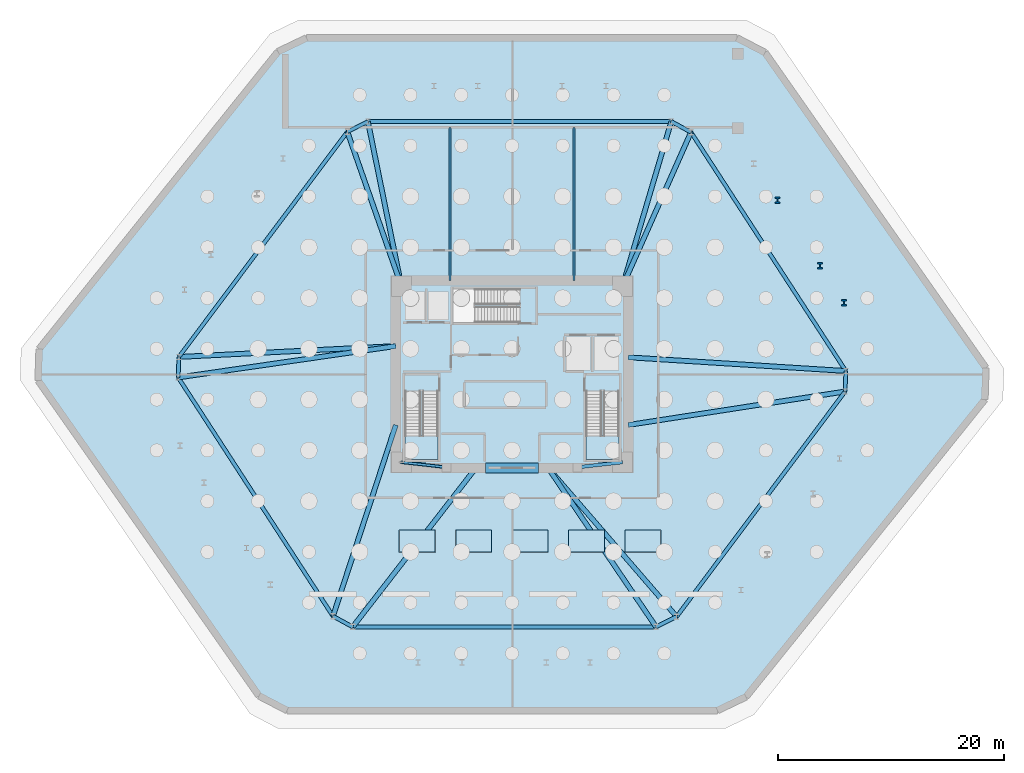
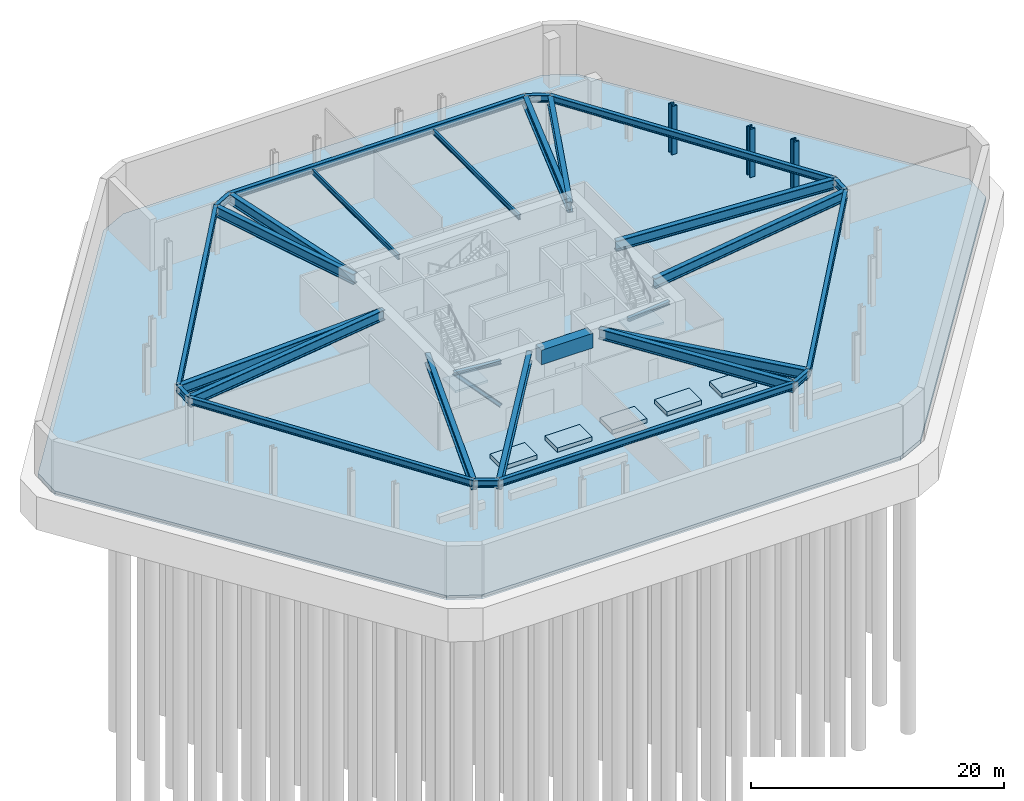
# One storey, part 2 of 8: 29 beams, 8 slabs, 3 columns, 1 member, 2 elements without a shape of their own.
"""IFC4 building model written with IfcOpenShell, lengths in metres."""

from ifc_helpers import new_model, si_unit, direction, frame, origin, origin_2d, place, context, subcontext, project, spatial, polyline, rectangle, i_section, outline, extrude, source, transform, mapped, material, layer, layer_set, material_profile, profile_set, type_object, type_shapes, element, aggregate, save


model = new_model("IFC4")

# Units and contexts
model_context = context("Model", 3, precision=1e-05, world=origin(), true_north=direction((0.0, 1.0)))
body_context = subcontext(model_context, "Body", "Model", "MODEL_VIEW")
ifc_project = project(units=[si_unit("LENGTHUNIT", "METRE"), si_unit("AREAUNIT", "SQUARE_METRE"), si_unit("VOLUMEUNIT", "CUBIC_METRE"), si_unit("PLANEANGLEUNIT", "RADIAN"), si_unit("MASSUNIT", "GRAM", prefix="KILO")], contexts=[model_context])

# Site, building, storey
site_placement = place(None, origin())
site = spatial("IfcSite", under=ifc_project, at=site_placement, CompositionType="ELEMENT")
building_placement = place(site_placement, origin())
building = spatial("IfcBuilding", under=site, at=building_placement, Name="Durnholm Broadcast Tower", CompositionType="ELEMENT")
storey_placement = place(building_placement, frame((0.0, 0.0, -10.0)))
storey = spatial("IfcBuildingStorey", under=building, at=storey_placement, Name="B02", CompositionType="ELEMENT", Elevation=-10.0)

# Columns
ifc_material_1 = material(Name="Steel ASTM A913 Grade 65", Category="steel")
ifc_material_profile_1 = material_profile(ifc_material_1, i_section(OverallWidth=0.454345703125, OverallDepth=0.569091796875, WebThickness=0.077880859375, FlangeThickness=0.124755859375, FilletRadius=0.030517578125, at=origin_2d()), Name="W14X730")
ifc_profile_set_1 = profile_set([ifc_material_profile_1], Name="Steel ASTM A913 Grade 65")
column_type = type_object("IfcColumnType", Name="STL-SC-W14X730", PredefinedType="COLUMN", material=ifc_profile_set_1)
shared_shape_1 = source(origin(), body_context, "Body", "SweptSolid", [
    extrude(i_section(OverallWidth=0.454345703125, OverallDepth=0.569091796875, WebThickness=0.077880859375, FlangeThickness=0.124755859375, FilletRadius=0.030517578125, at=origin_2d()), origin(), (0.0, 0.0, 1.0), 4.64990234375),
])
type_shapes(column_type, [shared_shape_1])
for number, where, z_axis, x_axis, name in (
    (1, (29.42041015625, 6.340087890625, 0.0), (0.0, 0.0, 1.0), (1.0, 0.0, 0.0), "B02 stand-off exoskeleton pilotis column F3.1"),
    (2, (27.3046875, 9.6025390625, 0.0), (0.0, 0.0, 1.0), (1.0, 0.0, 0.0), "B02 stand-off exoskeleton pilotis column F3.2"),
    (3, (23.541015625, 15.40576171875, 0.0), (0.0, 0.0, 1.0), (1.0, 0.0, 0.0), "B02 stand-off exoskeleton pilotis column F3.3"),
):
    element("IfcColumn", number, at=place(storey_placement, frame(where, z_axis=z_axis, x_axis=x_axis)), inside=storey, type_object=column_type, Name=name, PredefinedType="COLUMN", context=body_context, shape_type="MappedRepresentation", body=[
        mapped(shared_shape_1, transform((0.0, 0.0, 0.0), x_axis=(1.0, 0.0, 0.0), y_axis=(0.0, 1.0, 0.0), z_axis=(0.0, 0.0, 1.0), scale=1.0)),
    ])

# Beams
ifc_material_2 = material(Name="Concrete C70/85", Category="concrete")
ifc_material_profile_2 = material_profile(ifc_material_2, rectangle(XDim=0.89990234375, YDim=1.39990234375, at=origin_2d()), Name="RC900X1400")
ifc_profile_set_2 = profile_set([ifc_material_profile_2], Name="Concrete C70/85")
beam_type_1 = type_object("IfcBeamType", Name="BM-CB-RC1400", PredefinedType="LINTEL", material=ifc_profile_set_2)
shared_shape_2 = source(origin(), body_context, "Body", "SweptSolid", [
    extrude(rectangle(XDim=0.89990234375, YDim=1.39990234375, at=origin_2d()), origin(), (0.0, 0.0, 1.0), 4.7001953125),
])
type_shapes(beam_type_1, [shared_shape_2])
beam_1_placement = place(storey_placement, frame((-2.35009765625, -8.300048828125, 3.945068359375), z_axis=(1.0, 0.0, 0.0), x_axis=(0.0, 1.0, 0.0)))
element("IfcBeam", 4, at=beam_1_placement, inside=storey, type_object=beam_type_1, Name="B02 south core coupling lintel beam CB-S", PredefinedType="LINTEL", context=body_context, shape_type="MappedRepresentation", body=[
    mapped(shared_shape_2, transform((0.0, 0.0, 0.0), x_axis=(1.0, 0.0, 0.0), y_axis=(0.0, 1.0, 0.0), z_axis=(0.0, 0.0, 1.0), scale=1.0)),
])
ifc_material_3 = material(Name="Steel ASTM A992 Grade 50", Category="steel")
ifc_material_profile_3 = material_profile(ifc_material_3, i_section(OverallWidth=0.3330078125, OverallDepth=0.660888671875, WebThickness=0.0244140625, FlangeThickness=0.0439453125, FilletRadius=0.02783203125, at=origin_2d()), Name="W24X229")
ifc_profile_set_3 = profile_set([ifc_material_profile_3], Name="Steel ASTM A992 Grade 50")
beam_type_2 = type_object("IfcBeamType", Name="STL-SP-W24X229", PredefinedType="SPANDREL", material=ifc_profile_set_3)
shared_shape_3 = source(origin(), body_context, "Body", "SweptSolid", [
    extrude(i_section(OverallWidth=0.3330078125, OverallDepth=0.660888671875, WebThickness=0.0244140625, FlangeThickness=0.0439453125, FilletRadius=0.02783203125, at=origin_2d()), origin(), (0.0, 0.0, 1.0), 25.22265625),
])
for number, where, z_axis, x_axis, name in (
    (5, (-15.866455078125, -21.45068359375, 4.3046875), (-0.544117081794, 0.839009297505, 0.0), (-0.839009297505, -0.544117081794, 0.0), "B02 perimeter spandrel girder 01"),
    (6, (15.866455078125, 21.45068359375, 4.3046875), (0.544117081794, -0.839009297505, 0.0), (0.839009297505, 0.544117081794, 0.0), "B02 perimeter spandrel girder 07"),
):
    element("IfcBeam", number, at=place(storey_placement, frame(where, z_axis=z_axis, x_axis=x_axis)), inside=storey, type_object=beam_type_2, Name=name, PredefinedType="SPANDREL", context=body_context, shape_type="MappedRepresentation", body=[
        mapped(shared_shape_3, transform((0.0, 0.0, 0.0), x_axis=(1.0, 0.0, 0.0), y_axis=(0.0, 1.0, 0.0), z_axis=(0.0, 0.0, 1.0), scale=1.0)),
    ])
shared_shape_4 = source(origin(), body_context, "Body", "SweptSolid", [
    extrude(i_section(OverallWidth=0.3330078125, OverallDepth=0.660888671875, WebThickness=0.0244140625, FlangeThickness=0.0439453125, FilletRadius=0.02783203125, at=origin_2d()), origin(), (0.0, 0.0, 1.0), 1.820068359375),
])
for number, where, z_axis, x_axis, name in (
    (7, (-29.590576171875, -0.28857421875, 4.3046875), (0.033667655889, 0.999433083776, 0.0), (-0.999433083776, 0.033667655889, 0.0), "B02 perimeter spandrel girder 02"),
    (8, (29.590576171875, 0.28857421875, 4.3046875), (-0.033667655889, -0.999433083776, 0.0), (0.999433083776, -0.033667655889, 0.0), "B02 perimeter spandrel girder 08"),
):
    element("IfcBeam", number, at=place(storey_placement, frame(where, z_axis=z_axis, x_axis=x_axis)), inside=storey, type_object=beam_type_2, Name=name, PredefinedType="SPANDREL", context=body_context, shape_type="MappedRepresentation", body=[
        mapped(shared_shape_4, transform((0.0, 0.0, 0.0), x_axis=(1.0, 0.0, 0.0), y_axis=(0.0, 1.0, 0.0), z_axis=(0.0, 0.0, 1.0), scale=1.0)),
    ])
shared_shape_5 = source(origin(), body_context, "Body", "SweptSolid", [
    extrude(i_section(OverallWidth=0.3330078125, OverallDepth=0.660888671875, WebThickness=0.0244140625, FlangeThickness=0.0439453125, FilletRadius=0.02783203125, at=origin_2d()), origin(), (0.0, 0.0, 1.0), 24.926513671875),
])
for number, where, z_axis, x_axis, name in (
    (9, (-29.529296875, 1.530517578125, 4.3046875), (0.599153427318, 0.800634230178, 0.0), (-0.800634230178, 0.599153427318, 0.0), "B02 perimeter spandrel girder 03"),
    (10, (29.529296875, -1.530517578125, 4.3046875), (-0.599153427318, -0.800634230178, 0.0), (0.800634230178, -0.599153427318, 0.0), "B02 perimeter spandrel girder 09"),
):
    element("IfcBeam", number, at=place(storey_placement, frame(where, z_axis=z_axis, x_axis=x_axis)), inside=storey, type_object=beam_type_2, Name=name, PredefinedType="SPANDREL", context=body_context, shape_type="MappedRepresentation", body=[
        mapped(shared_shape_5, transform((0.0, 0.0, 0.0), x_axis=(1.0, 0.0, 0.0), y_axis=(0.0, 1.0, 0.0), z_axis=(0.0, 0.0, 1.0), scale=1.0)),
    ])
shared_shape_6 = source(origin(), body_context, "Body", "SweptSolid", [
    extrude(i_section(OverallWidth=0.3330078125, OverallDepth=0.660888671875, WebThickness=0.0244140625, FlangeThickness=0.0439453125, FilletRadius=0.02783203125, at=origin_2d()), origin(), (0.0, 0.0, 1.0), 2.0380859375),
])
for number, where, z_axis, x_axis, name in (
    (11, (-14.594482421875, 21.487548828125, 4.3046875), (0.894211470078, 0.447644777452, 0.0), (-0.447644777452, 0.894211470078, 0.0), "B02 perimeter spandrel girder 04"),
    (12, (14.594482421875, -21.487548828125, 4.3046875), (-0.894211470078, -0.447644777452, 0.0), (0.447644777452, -0.894211470078, 0.0), "B02 perimeter spandrel girder 10"),
):
    element("IfcBeam", number, at=place(storey_placement, frame(where, z_axis=z_axis, x_axis=x_axis)), inside=storey, type_object=beam_type_2, Name=name, PredefinedType="SPANDREL", context=body_context, shape_type="MappedRepresentation", body=[
        mapped(shared_shape_6, transform((0.0, 0.0, 0.0), x_axis=(1.0, 0.0, 0.0), y_axis=(0.0, 1.0, 0.0), z_axis=(0.0, 0.0, 1.0), scale=1.0)),
    ])
shared_shape_7 = source(origin(), body_context, "Body", "SweptSolid", [
    extrude(i_section(OverallWidth=0.3330078125, OverallDepth=0.660888671875, WebThickness=0.0244140625, FlangeThickness=0.0439453125, FilletRadius=0.02783203125, at=origin_2d()), origin(), (0.0, 0.0, 1.0), 26.891357421875),
])
for number, where, z_axis, x_axis, name in (
    (13, (-12.77197265625, 22.39990234375, 4.3046875), (1.0, 0.0, 0.0), (0.0, 1.0, 0.0), "B02 perimeter spandrel girder 05"),
    (14, (12.77197265625, -22.39990234375, 4.3046875), (-1.0, 0.0, 0.0), (0.0, -1.0, 0.0), "B02 perimeter spandrel girder 11"),
):
    element("IfcBeam", number, at=place(storey_placement, frame(where, z_axis=z_axis, x_axis=x_axis)), inside=storey, type_object=beam_type_2, Name=name, PredefinedType="SPANDREL", context=body_context, shape_type="MappedRepresentation", body=[
        mapped(shared_shape_7, transform((0.0, 0.0, 0.0), x_axis=(1.0, 0.0, 0.0), y_axis=(0.0, 1.0, 0.0), z_axis=(0.0, 0.0, 1.0), scale=1.0)),
    ])
shared_shape_8 = source(origin(), body_context, "Body", "SweptSolid", [
    extrude(i_section(OverallWidth=0.3330078125, OverallDepth=0.660888671875, WebThickness=0.0244140625, FlangeThickness=0.0439453125, FilletRadius=0.02783203125, at=origin_2d()), origin(), (0.0, 0.0, 1.0), 1.98828125),
])
type_shapes(beam_type_2, [shared_shape_3, shared_shape_4, shared_shape_5, shared_shape_6, shared_shape_7, shared_shape_8])
for number, where, z_axis, x_axis, name in (
    (15, (14.119384765625, 22.39990234375, 4.3046875), (0.878682739647, -0.477406161508, 0.0), (0.477406161508, 0.878682739647, 0.0), "B02 perimeter spandrel girder 06"),
    (16, (-14.119384765625, -22.39990234375, 4.3046875), (-0.878682739647, 0.477406161508, 0.0), (-0.477406161508, -0.878682739647, 0.0), "B02 perimeter spandrel girder 12"),
):
    element("IfcBeam", number, at=place(storey_placement, frame(where, z_axis=z_axis, x_axis=x_axis)), inside=storey, type_object=beam_type_2, Name=name, PredefinedType="SPANDREL", context=body_context, shape_type="MappedRepresentation", body=[
        mapped(shared_shape_8, transform((0.0, 0.0, 0.0), x_axis=(1.0, 0.0, 0.0), y_axis=(0.0, 1.0, 0.0), z_axis=(0.0, 0.0, 1.0), scale=1.0)),
    ])
ifc_material_profile_4 = material_profile(ifc_material_3, i_section(OverallWidth=0.427490234375, OverallDepth=0.9755859375, WebThickness=0.031005859375, FlangeThickness=0.055908203125, FilletRadius=0.0380859375, at=origin_2d()), Name="W36X395")
ifc_profile_set_4 = profile_set([ifc_material_profile_4], Name="Steel ASTM A992 Grade 50")
beam_type_3 = type_object("IfcBeamType", Name="STL-GR-W36X395", PredefinedType="USERDEFINED", material=ifc_profile_set_4)
shared_shape_9 = source(origin(), body_context, "Body", "SweptSolid", [
    extrude(i_section(OverallWidth=0.427490234375, OverallDepth=0.9755859375, WebThickness=0.031005859375, FlangeThickness=0.055908203125, FilletRadius=0.0380859375, at=origin_2d()), origin(), (0.0, 0.0, 1.0), 17.84130859375),
])
beam_2_placement = place(storey_placement, frame((-10.300048828125, -4.5, 4.147216796875), z_axis=(-0.311996254667, -0.950083331647, 0.0), x_axis=(0.950083331647, -0.311996254667, 0.0)))
element("IfcBeam", 17, at=beam_2_placement, inside=storey, type_object=beam_type_3, Name="B02 radial primary floor girder 01", ObjectType="GIRDER", PredefinedType="USERDEFINED", context=body_context, shape_type="MappedRepresentation", body=[
    mapped(shared_shape_9, transform((0.0, 0.0, 0.0), x_axis=(1.0, 0.0, 0.0), y_axis=(0.0, 1.0, 0.0), z_axis=(0.0, 0.0, 1.0), scale=1.0)),
])
shared_shape_10 = source(origin(), body_context, "Body", "SweptSolid", [
    extrude(i_section(OverallWidth=0.427490234375, OverallDepth=0.9755859375, WebThickness=0.031005859375, FlangeThickness=0.055908203125, FilletRadius=0.0380859375, at=origin_2d()), origin(), (0.0, 0.0, 1.0), 19.490966796875),
])
beam_3_placement = place(storey_placement, frame((-10.300048828125, 2.5, 4.147216796875), z_axis=(-0.989712636446, -0.143069553921, 0.0), x_axis=(0.143069553921, -0.989712636446, 0.0)))
element("IfcBeam", 18, at=beam_3_placement, inside=storey, type_object=beam_type_3, Name="B02 radial primary floor girder 02", ObjectType="GIRDER", PredefinedType="USERDEFINED", context=body_context, shape_type="MappedRepresentation", body=[
    mapped(shared_shape_10, transform((0.0, 0.0, 0.0), x_axis=(1.0, 0.0, 0.0), y_axis=(0.0, 1.0, 0.0), z_axis=(0.0, 0.0, 1.0), scale=1.0)),
])
shared_shape_11 = source(origin(), body_context, "Body", "SweptSolid", [
    extrude(i_section(OverallWidth=0.427490234375, OverallDepth=0.9755859375, WebThickness=0.031005859375, FlangeThickness=0.055908203125, FilletRadius=0.0380859375, at=origin_2d()), origin(), (0.0, 0.0, 1.0), 19.253662109375),
])
beam_4_placement = place(storey_placement, frame((-10.300048828125, 2.5, 4.147216796875), z_axis=(-0.998731477139, -0.050353118796, 0.0), x_axis=(0.050353118796, -0.998731477139, 0.0)))
element("IfcBeam", 19, at=beam_4_placement, inside=storey, type_object=beam_type_3, Name="B02 radial primary floor girder 03", ObjectType="GIRDER", PredefinedType="USERDEFINED", context=body_context, shape_type="MappedRepresentation", body=[
    mapped(shared_shape_11, transform((0.0, 0.0, 0.0), x_axis=(1.0, 0.0, 0.0), y_axis=(0.0, 1.0, 0.0), z_axis=(0.0, 0.0, 1.0), scale=1.0)),
])
shared_shape_12 = source(origin(), body_context, "Body", "SweptSolid", [
    extrude(i_section(OverallWidth=0.427490234375, OverallDepth=0.9755859375, WebThickness=0.031005859375, FlangeThickness=0.055908203125, FilletRadius=0.0380859375, at=origin_2d()), origin(), (0.0, 0.0, 1.0), 14.5029296875),
])
beam_5_placement = place(storey_placement, frame((-9.800048828125, 7.800048828125, 4.147216796875), z_axis=(-0.330584364716, 0.943776444824, 0.0), x_axis=(-0.943776444824, -0.330584364716, 0.0)))
element("IfcBeam", 20, at=beam_5_placement, inside=storey, type_object=beam_type_3, Name="B02 radial primary floor girder 04", ObjectType="GIRDER", PredefinedType="USERDEFINED", context=body_context, shape_type="MappedRepresentation", body=[
    mapped(shared_shape_12, transform((0.0, 0.0, 0.0), x_axis=(1.0, 0.0, 0.0), y_axis=(0.0, 1.0, 0.0), z_axis=(0.0, 0.0, 1.0), scale=1.0)),
])
shared_shape_13 = source(origin(), body_context, "Body", "SweptSolid", [
    extrude(i_section(OverallWidth=0.427490234375, OverallDepth=0.9755859375, WebThickness=0.031005859375, FlangeThickness=0.055908203125, FilletRadius=0.0380859375, at=origin_2d()), origin(), (0.0, 0.0, 1.0), 14.899169921875),
])
beam_6_placement = place(storey_placement, frame((-9.800048828125, 7.800048828125, 4.147216796875), z_axis=(-0.19946783416, 0.979904374485, 0.0), x_axis=(-0.979904374485, -0.19946783416, 0.0)))
element("IfcBeam", 21, at=beam_6_placement, inside=storey, type_object=beam_type_3, Name="B02 radial primary floor girder 05", ObjectType="GIRDER", PredefinedType="USERDEFINED", context=body_context, shape_type="MappedRepresentation", body=[
    mapped(shared_shape_13, transform((0.0, 0.0, 0.0), x_axis=(1.0, 0.0, 0.0), y_axis=(0.0, 1.0, 0.0), z_axis=(0.0, 0.0, 1.0), scale=1.0)),
])
shared_shape_14 = source(origin(), body_context, "Body", "SweptSolid", [
    extrude(i_section(OverallWidth=0.427490234375, OverallDepth=0.9755859375, WebThickness=0.031005859375, FlangeThickness=0.055908203125, FilletRadius=0.0380859375, at=origin_2d()), origin(), (0.0, 0.0, 1.0), 15.225341796875),
])
beam_7_placement = place(storey_placement, frame((9.800048828125, 7.800048828125, 4.147216796875), z_axis=(0.283693029157, 0.958915150161, 0.0), x_axis=(-0.958915150161, 0.283693029157, 0.0)))
element("IfcBeam", 22, at=beam_7_placement, inside=storey, type_object=beam_type_3, Name="B02 radial primary floor girder 06", ObjectType="GIRDER", PredefinedType="USERDEFINED", context=body_context, shape_type="MappedRepresentation", body=[
    mapped(shared_shape_14, transform((0.0, 0.0, 0.0), x_axis=(1.0, 0.0, 0.0), y_axis=(0.0, 1.0, 0.0), z_axis=(0.0, 0.0, 1.0), scale=1.0)),
])
shared_shape_15 = source(origin(), body_context, "Body", "SweptSolid", [
    extrude(i_section(OverallWidth=0.427490234375, OverallDepth=0.9755859375, WebThickness=0.031005859375, FlangeThickness=0.055908203125, FilletRadius=0.0380859375, at=origin_2d()), origin(), (0.0, 0.0, 1.0), 14.93798828125),
])
beam_8_placement = place(storey_placement, frame((9.800048828125, 7.800048828125, 4.147216796875), z_axis=(0.406108137323, 0.913825027453, 0.0), x_axis=(-0.913825027453, 0.406108137323, 0.0)))
element("IfcBeam", 23, at=beam_8_placement, inside=storey, type_object=beam_type_3, Name="B02 radial primary floor girder 07", ObjectType="GIRDER", PredefinedType="USERDEFINED", context=body_context, shape_type="MappedRepresentation", body=[
    mapped(shared_shape_15, transform((0.0, 0.0, 0.0), x_axis=(1.0, 0.0, 0.0), y_axis=(0.0, 1.0, 0.0), z_axis=(0.0, 0.0, 1.0), scale=1.0)),
])
shared_shape_16 = source(origin(), body_context, "Body", "SweptSolid", [
    extrude(i_section(OverallWidth=0.427490234375, OverallDepth=0.9755859375, WebThickness=0.031005859375, FlangeThickness=0.055908203125, FilletRadius=0.0380859375, at=origin_2d()), origin(), (0.0, 0.0, 1.0), 19.32861328125),
])
beam_9_placement = place(storey_placement, frame((10.300048828125, 1.5, 4.147216796875), z_axis=(0.998033956176, -0.062675532065, 0.0), x_axis=(0.062675532065, 0.998033956176, 0.0)))
element("IfcBeam", 24, at=beam_9_placement, inside=storey, type_object=beam_type_3, Name="B02 radial primary floor girder 08", ObjectType="GIRDER", PredefinedType="USERDEFINED", context=body_context, shape_type="MappedRepresentation", body=[
    mapped(shared_shape_16, transform((0.0, 0.0, 0.0), x_axis=(1.0, 0.0, 0.0), y_axis=(0.0, 1.0, 0.0), z_axis=(0.0, 0.0, 1.0), scale=1.0)),
])
shared_shape_17 = source(origin(), body_context, "Body", "SweptSolid", [
    extrude(i_section(OverallWidth=0.427490234375, OverallDepth=0.9755859375, WebThickness=0.031005859375, FlangeThickness=0.055908203125, FilletRadius=0.0380859375, at=origin_2d()), origin(), (0.0, 0.0, 1.0), 19.457275390625),
])
beam_10_placement = place(storey_placement, frame((10.300048828125, -4.5, 4.147216796875), z_axis=(0.988285519632, 0.152616289061, 0.0), x_axis=(-0.152616289061, 0.988285519632, 0.0)))
element("IfcBeam", 25, at=beam_10_placement, inside=storey, type_object=beam_type_3, Name="B02 radial primary floor girder 09", ObjectType="GIRDER", PredefinedType="USERDEFINED", context=body_context, shape_type="MappedRepresentation", body=[
    mapped(shared_shape_17, transform((0.0, 0.0, 0.0), x_axis=(1.0, 0.0, 0.0), y_axis=(0.0, 1.0, 0.0), z_axis=(0.0, 0.0, 1.0), scale=1.0)),
])
shared_shape_18 = source(origin(), body_context, "Body", "SweptSolid", [
    extrude(i_section(OverallWidth=0.427490234375, OverallDepth=0.9755859375, WebThickness=0.031005859375, FlangeThickness=0.055908203125, FilletRadius=0.0380859375, at=origin_2d()), origin(), (0.0, 0.0, 1.0), 17.42822265625),
])
beam_11_placement = place(storey_placement, frame((3.199951171875, -8.300048828125, 4.147216796875), z_axis=(0.653794915042, -0.756671797456, 0.0), x_axis=(0.756671797456, 0.653794915042, 0.0)))
element("IfcBeam", 26, at=beam_11_placement, inside=storey, type_object=beam_type_3, Name="B02 radial primary floor girder 10", ObjectType="GIRDER", PredefinedType="USERDEFINED", context=body_context, shape_type="MappedRepresentation", body=[
    mapped(shared_shape_18, transform((0.0, 0.0, 0.0), x_axis=(1.0, 0.0, 0.0), y_axis=(0.0, 1.0, 0.0), z_axis=(0.0, 0.0, 1.0), scale=1.0)),
])
shared_shape_19 = source(origin(), body_context, "Body", "SweptSolid", [
    extrude(i_section(OverallWidth=0.427490234375, OverallDepth=0.9755859375, WebThickness=0.031005859375, FlangeThickness=0.055908203125, FilletRadius=0.0380859375, at=origin_2d()), origin(), (0.0, 0.0, 1.0), 17.0419921875),
])
beam_12_placement = place(storey_placement, frame((3.199951171875, -8.300048828125, 4.147216796875), z_axis=(0.561672715675, -0.827359511015, 0.0), x_axis=(0.827359511015, 0.561672715675, 0.0)))
element("IfcBeam", 27, at=beam_12_placement, inside=storey, type_object=beam_type_3, Name="B02 radial primary floor girder 11", ObjectType="GIRDER", PredefinedType="USERDEFINED", context=body_context, shape_type="MappedRepresentation", body=[
    mapped(shared_shape_19, transform((0.0, 0.0, 0.0), x_axis=(1.0, 0.0, 0.0), y_axis=(0.0, 1.0, 0.0), z_axis=(0.0, 0.0, 1.0), scale=1.0)),
])
shared_shape_20 = source(origin(), body_context, "Body", "SweptSolid", [
    extrude(i_section(OverallWidth=0.427490234375, OverallDepth=0.9755859375, WebThickness=0.031005859375, FlangeThickness=0.055908203125, FilletRadius=0.0380859375, at=origin_2d()), origin(), (0.0, 0.0, 1.0), 17.833740234375),
])
type_shapes(beam_type_3, [shared_shape_9, shared_shape_10, shared_shape_11, shared_shape_12, shared_shape_13, shared_shape_14, shared_shape_15, shared_shape_16, shared_shape_17, shared_shape_18, shared_shape_19, shared_shape_20])
beam_13_placement = place(storey_placement, frame((-3.199951171875, -8.300048828125, 4.147216796875), z_axis=(-0.612293019064, -0.790630924519, 0.0), x_axis=(0.790630924519, -0.612293019064, 0.0)))
element("IfcBeam", 28, at=beam_13_placement, inside=storey, type_object=beam_type_3, Name="B02 radial primary floor girder 12", ObjectType="GIRDER", PredefinedType="USERDEFINED", context=body_context, shape_type="MappedRepresentation", body=[
    mapped(shared_shape_20, transform((0.0, 0.0, 0.0), x_axis=(1.0, 0.0, 0.0), y_axis=(0.0, 1.0, 0.0), z_axis=(0.0, 0.0, 1.0), scale=1.0)),
])
ifc_material_profile_5 = material_profile(ifc_material_3, i_section(OverallWidth=0.19189453125, OverallDepth=0.46337890625, WebThickness=0.010498046875, FlangeThickness=0.017578125, FilletRadius=0.020263671875, at=origin_2d()), Name="W18X60")
ifc_profile_set_5 = profile_set([ifc_material_profile_5], Name="Steel ASTM A992 Grade 50")
beam_type_4 = type_object("IfcBeamType", Name="STL-BJ-W18X60", PredefinedType="JOIST", material=ifc_profile_set_5)
shared_shape_21 = source(origin(), body_context, "Body", "SweptSolid", [
    extrude(i_section(OverallWidth=0.19189453125, OverallDepth=0.46337890625, WebThickness=0.010498046875, FlangeThickness=0.017578125, FilletRadius=0.020263671875, at=origin_2d()), origin(), (0.0, 0.0, 1.0), 13.58984375),
])
type_shapes(beam_type_4, [shared_shape_21])
for number, where, z_axis, x_axis, name in (
    (29, (-5.5, 8.300048828125, 4.4033203125), (0.0, 1.0, 0.0), (-1.0, 0.0, 0.0), "B02 secondary floor joist 3.2"),
    (30, (5.5, 8.300048828125, 4.4033203125), (0.0, 1.0, 0.0), (-1.0, 0.0, 0.0), "B02 secondary floor joist 4.2"),
):
    element("IfcBeam", number, at=place(storey_placement, frame(where, z_axis=z_axis, x_axis=x_axis)), inside=storey, type_object=beam_type_4, Name=name, PredefinedType="JOIST", context=body_context, shape_type="MappedRepresentation", body=[
        mapped(shared_shape_21, transform((0.0, 0.0, 0.0), x_axis=(1.0, 0.0, 0.0), y_axis=(0.0, 1.0, 0.0), z_axis=(0.0, 0.0, 1.0), scale=1.0)),
    ])
ifc_material_profile_6 = material_profile(ifc_material_3, i_section(OverallWidth=0.3046875, OverallDepth=0.307861328125, WebThickness=0.010009765625, FlangeThickness=0.015380859375, FilletRadius=0.019287109375, at=origin_2d()), Name="W12X65")
ifc_profile_set_6 = profile_set([ifc_material_profile_6], Name="Steel ASTM A992 Grade 50")
beam_type_5 = type_object("IfcBeamType", Name="STL-BL-W12X65", PredefinedType="LINTEL", material=ifc_profile_set_6)
shared_shape_22 = source(origin(), body_context, "Body", "SweptSolid", [
    extrude(i_section(OverallWidth=0.3046875, OverallDepth=0.307861328125, WebThickness=0.010009765625, FlangeThickness=0.015380859375, FilletRadius=0.019287109375, at=origin_2d()), origin(), (0.0, 0.0, 1.0), 4.025146484375),
])
type_shapes(beam_type_5, [shared_shape_22])
for number, where, z_axis, x_axis, name in (
    (31, (-5.800048828125, -8.25, 4.481201171875), (-0.993732663715, 0.111782794142, 0.0), (-0.111782794142, -0.993732663715, 0.0), "B02 west pilaster tie lintel"),
    (32, (9.800048828125, -7.800048828125, 4.481201171875), (-0.993732663715, -0.111782794142, 0.0), (0.111782794142, -0.993732663715, 0.0), "B02 east pilaster tie lintel"),
):
    element("IfcBeam", number, at=place(storey_placement, frame(where, z_axis=z_axis, x_axis=x_axis)), inside=storey, type_object=beam_type_5, Name=name, PredefinedType="LINTEL", context=body_context, shape_type="MappedRepresentation", body=[
        mapped(shared_shape_22, transform((0.0, 0.0, 0.0), x_axis=(1.0, 0.0, 0.0), y_axis=(0.0, 1.0, 0.0), z_axis=(0.0, 0.0, 1.0), scale=1.0)),
    ])

# Member
ifc_material_profile_7 = material_profile(ifc_material_3, i_section(OverallWidth=0.205078125, OverallDepth=0.3095703125, WebThickness=0.009521484375, FlangeThickness=0.016357421875, FilletRadius=0.019287109375, at=origin_2d()), Name="W12X50")
ifc_profile_set_7 = profile_set([ifc_material_profile_7], Name="Steel ASTM A992 Grade 50")
member_type = type_object("IfcMemberType", Name="STL-STG-W12X50", PredefinedType="STRINGER", material=ifc_profile_set_7)
shared_shape_23 = source(origin(), body_context, "Body", "SweptSolid", [
    extrude(i_section(OverallWidth=0.205078125, OverallDepth=0.3095703125, WebThickness=0.009521484375, FlangeThickness=0.016357421875, FilletRadius=0.019287109375, at=origin_2d()), origin(), (0.0, 0.0, 1.0), 5.840087890625),
])
type_shapes(member_type, [shared_shape_23])
member_placement = place(storey_placement, frame((-5.800048828125, -8.25, 0.25), z_axis=(-0.684932316042, 0.077046524565, 0.724521604573), x_axis=(-0.111782794142, -0.993732663715, 0.0)))
element("IfcMember", 33, at=member_placement, inside=storey, type_object=member_type, Name="B02 core gallery steel stringer brace", PredefinedType="STRINGER", context=body_context, shape_type="MappedRepresentation", body=[
    mapped(shared_shape_23, transform((0.0, 0.0, 0.0), x_axis=(1.0, 0.0, 0.0), y_axis=(0.0, 1.0, 0.0), z_axis=(0.0, 0.0, 1.0), scale=1.0)),
])

# Slabs
ifc_material_4 = material(Name="Concrete C50/60", Category="concrete")
ifc_layer_1 = layer(ifc_material_4, 0.39990234375)
ifc_layer_set_1 = layer_set([ifc_layer_1], Name="Concrete C50/60")
slab_type_1 = type_object("IfcSlabType", Name="SLAB-BASE-400", PredefinedType="BASESLAB", material=ifc_layer_set_1)
slab_1_placement = place(storey_placement, frame((0.0, 0.0, -0.39990234375)))
element("IfcSlab", 34, at=slab_1_placement, inside=storey, type_object=slab_type_1, Name="B02 substructure structural slab", PredefinedType="BASESLAB", context=body_context, shape_type="SweptSolid", body=[
    extrude(outline(polyline([(-22.421142578125, -28.507080078125), (-19.9375, -29.800048828125), (18.211669921875, -29.800048828125), (20.736572265625, -28.589599609375), (41.90380859375, -2.240478515625), (41.995849609375, 0.55810546875), (22.421142578125, 28.507080078125), (19.9375, 29.800048828125), (-18.211669921875, 29.800048828125), (-20.736572265625, 28.589599609375), (-41.90380859375, 2.240478515625), (-41.995849609375, -0.55810546875), (-22.421142578125, -28.507080078125)]), holes=[polyline([(-10.0, -13.800048828125), (-10.0, -15.800048828125), (-6.800048828125, -15.800048828125), (-6.800048828125, -13.800048828125), (-10.0, -13.800048828125)]), polyline([(-5.0, -13.800048828125), (-5.0, -15.800048828125), (-1.800048828125, -15.800048828125), (-1.800048828125, -13.800048828125), (-5.0, -13.800048828125)]), polyline([(0.0, -13.800048828125), (0.0, -15.800048828125), (3.199951171875, -15.800048828125), (3.199951171875, -13.800048828125), (0.0, -13.800048828125)]), polyline([(8.199951171875, -13.800048828125), (5.0, -13.800048828125), (5.0, -15.800048828125), (8.199951171875, -15.800048828125), (8.199951171875, -13.800048828125)]), polyline([(13.199951171875, -13.800048828125), (10.0, -13.800048828125), (10.0, -15.800048828125), (13.199951171875, -15.800048828125), (13.199951171875, -13.800048828125)])]), origin(), (0.0, 0.0, 1.0), 0.39990234375),
])
slab_2_placement = place(storey_placement, origin())
element("IfcSlab", 35, at=slab_2_placement, inside=storey, type_object=slab_type_1, Name="B02 mechanical sump base slab 1", PredefinedType="BASESLAB", context=body_context, shape_type="SweptSolid", body=[
    extrude(outline(polyline([(-9.97998046875, -15.780029296875), (-6.820068359375, -15.780029296875), (-6.820068359375, -13.820068359375), (-9.97998046875, -13.820068359375), (-9.97998046875, -15.780029296875)])), origin(), (0.0, 0.0, 1.0), 0.39990234375),
])
slab_3_placement = place(storey_placement, origin())
element("IfcSlab", 36, at=slab_3_placement, inside=storey, type_object=slab_type_1, Name="B02 mechanical sump base slab 2", PredefinedType="BASESLAB", context=body_context, shape_type="SweptSolid", body=[
    extrude(outline(polyline([(-4.97998046875, -15.780029296875), (-1.820068359375, -15.780029296875), (-1.820068359375, -13.820068359375), (-4.97998046875, -13.820068359375), (-4.97998046875, -15.780029296875)])), origin(), (0.0, 0.0, 1.0), 0.39990234375),
])
slab_4_placement = place(storey_placement, origin())
element("IfcSlab", 37, at=slab_4_placement, inside=storey, type_object=slab_type_1, Name="B02 mechanical sump base slab 3", PredefinedType="BASESLAB", context=body_context, shape_type="SweptSolid", body=[
    extrude(outline(polyline([(0.02001953125, -15.780029296875), (3.179931640625, -15.780029296875), (3.179931640625, -13.820068359375), (0.02001953125, -13.820068359375), (0.02001953125, -15.780029296875)])), origin(), (0.0, 0.0, 1.0), 0.39990234375),
])
slab_5_placement = place(storey_placement, origin())
element("IfcSlab", 38, at=slab_5_placement, inside=storey, type_object=slab_type_1, Name="B02 mechanical sump base slab 4", PredefinedType="BASESLAB", context=body_context, shape_type="SweptSolid", body=[
    extrude(outline(polyline([(5.02001953125, -15.780029296875), (8.179931640625, -15.780029296875), (8.179931640625, -13.820068359375), (5.02001953125, -13.820068359375), (5.02001953125, -15.780029296875)])), origin(), (0.0, 0.0, 1.0), 0.39990234375),
])
slab_6_placement = place(storey_placement, origin())
element("IfcSlab", 39, at=slab_6_placement, inside=storey, type_object=slab_type_1, Name="B02 mechanical sump base slab 5", PredefinedType="BASESLAB", context=body_context, shape_type="SweptSolid", body=[
    extrude(outline(polyline([(10.02001953125, -15.780029296875), (13.179931640625, -15.780029296875), (13.179931640625, -13.820068359375), (10.02001953125, -13.820068359375), (10.02001953125, -15.780029296875)])), origin(), (0.0, 0.0, 1.0), 0.39990234375),
])

# Stair, slab
stair_type = type_object("IfcStairType", Name="STAIR-DL-30R1667", PredefinedType="HALF_TURN_STAIR", material=ifc_material_4)
stair_1_placement = place(storey_placement, origin())
stair_1 = element("IfcStair", 40, at=stair_1_placement, inside=storey, type_object=stair_type, Name="B02 ST-1", PredefinedType="HALF_TURN_STAIR")
ifc_layer_2 = layer(ifc_material_4, 0.199951171875)
ifc_layer_set_2 = layer_set([ifc_layer_2], Name="Concrete C50/60")
slab_type_2 = type_object("IfcSlabType", Name="SLAB-LND-200", PredefinedType="LANDING", material=ifc_layer_set_2)
slab_7_placement = place(storey_placement, frame((0.0, 0.0, 2.300048828125)))
slab_7 = element("IfcSlab", 41, at=slab_7_placement, type_object=slab_type_2, Name="ST-1 landing 1", PredefinedType="LANDING", context=body_context, shape_type="SweptSolid", body=[
    extrude(outline(polyline([(-9.5, -5.489990234375), (-9.5, -7.550048828125), (-6.5400390625, -7.550048828125), (-6.5400390625, -5.489990234375), (-9.5, -5.489990234375)])), origin(), (0.0, 0.0, 1.0), 0.199951171875),
])
aggregate(stair_1, [slab_7])

stair_2_placement = place(storey_placement, origin())
stair_2 = element("IfcStair", 42, at=stair_2_placement, inside=storey, type_object=stair_type, Name="B02 ST-2", PredefinedType="HALF_TURN_STAIR")
slab_8_placement = place(storey_placement, frame((0.0, 0.0, 2.300048828125)))
slab_8 = element("IfcSlab", 43, at=slab_8_placement, type_object=slab_type_2, Name="ST-2 landing 1", PredefinedType="LANDING", context=body_context, shape_type="SweptSolid", body=[
    extrude(outline(polyline([(6.5400390625, -5.489990234375), (6.5400390625, -7.550048828125), (9.5, -7.550048828125), (9.5, -5.489990234375), (6.5400390625, -5.489990234375)])), origin(), (0.0, 0.0, 1.0), 0.199951171875),
])
aggregate(stair_2, [slab_8])

save(model, "model.ifc")
